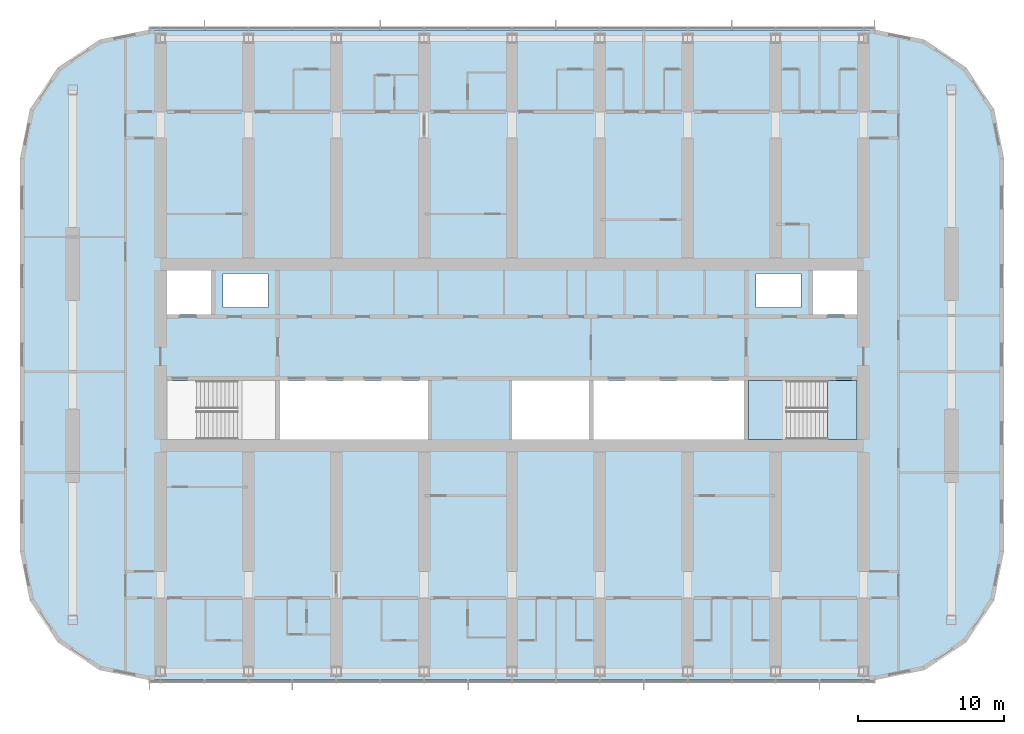
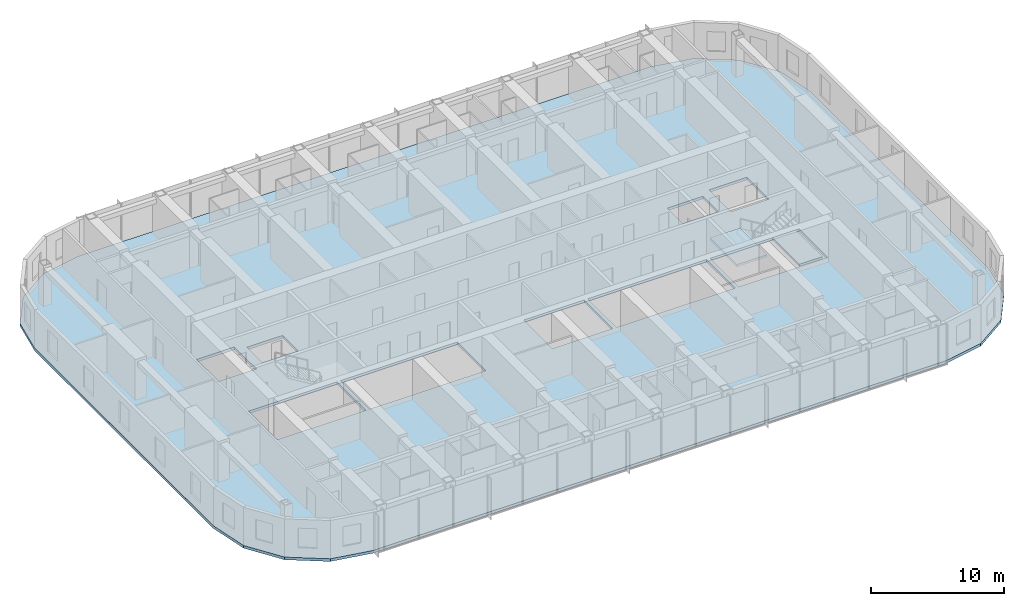
# One storey, part 8 of 23: 3 slabs, 1 element without a shape of its own.
"""IFC4 building model written with IfcOpenShell, lengths in metres."""

from ifc_helpers import new_model, si_unit, direction, frame, origin, place, context, subcontext, project, spatial, polyline, outline, extrude, material, layer, layer_set, type_object, element, aggregate, save


model = new_model("IFC4")

# Units and contexts
model_context = context("Model", 3, precision=1e-05, world=origin(), true_north=direction((0.0, 1.0)))
body_context = subcontext(model_context, "Body", "Model", "MODEL_VIEW")
ifc_project = project(units=[si_unit("LENGTHUNIT", "METRE"), si_unit("AREAUNIT", "SQUARE_METRE"), si_unit("VOLUMEUNIT", "CUBIC_METRE"), si_unit("PLANEANGLEUNIT", "RADIAN"), si_unit("MASSUNIT", "GRAM", prefix="KILO")], contexts=[model_context])

# Site, building, storey
site_placement = place(None, origin())
site = spatial("IfcSite", under=ifc_project, at=site_placement, CompositionType="ELEMENT")
building_placement = place(site_placement, origin())
building = spatial("IfcBuilding", under=site, at=building_placement, Name="Orbita Commons", CompositionType="ELEMENT")
storey_placement = place(building_placement, frame((0.0, 0.0, 171.10009765625)))
storey = spatial("IfcBuildingStorey", under=building, at=storey_placement, Name="L42", CompositionType="ELEMENT", Elevation=171.10009765625)

# Slab
ifc_material_1 = material(Name="Concrete C40/50", Category="concrete")
ifc_layer_1 = layer(ifc_material_1, 0.25)
ifc_layer_set_1 = layer_set([ifc_layer_1], Name="Concrete C40/50")
slab_type_1 = type_object("IfcSlabType", Name="Floor slab 250", PredefinedType="FLOOR", material=ifc_layer_set_1)
slab_1_placement = place(storey_placement, frame((0.0, 0.0, -0.25)))
element("IfcSlab", 1, at=slab_1_placement, inside=storey, type_object=slab_type_1, Name="Floor slab L42", PredefinedType="FLOOR", context=body_context, shape_type="SweptSolid", body=[
    extrude(outline(polyline([(66.800048828125, 9.800048828125), (70.167724609375, 10.469970703125), (73.0224609375, 12.37744140625), (74.93017578125, 15.232421875), (75.60009765625, 18.60009765625), (75.60009765625, 45.39990234375), (74.93017578125, 48.767578125), (73.0224609375, 51.62255859375), (70.167724609375, 53.530029296875), (66.800048828125, 54.199951171875), (17.199951171875, 54.199951171875), (13.832275390625, 53.530029296875), (10.9775390625, 51.62255859375), (9.06982421875, 48.767578125), (8.39990234375, 45.39990234375), (8.39990234375, 18.60009765625), (9.06982421875, 15.232421875), (10.9775390625, 12.37744140625), (13.832275390625, 10.469970703125), (17.199951171875, 9.800048828125), (66.800048828125, 9.800048828125)]), holes=[polyline([(18.14990234375, 25.949951171875), (25.85009765625, 25.949951171875), (25.85009765625, 30.25), (18.14990234375, 30.25), (18.14990234375, 25.949951171875)]), polyline([(58.14990234375, 25.949951171875), (65.85009765625, 25.949951171875), (65.85009765625, 30.25), (58.14990234375, 30.25), (58.14990234375, 25.949951171875)]), polyline([(18.14990234375, 34.75), (21.449951171875, 34.75), (21.449951171875, 38.050048828125), (18.14990234375, 38.050048828125), (18.14990234375, 34.75)]), polyline([(62.550048828125, 34.75), (65.85009765625, 34.75), (65.85009765625, 38.050048828125), (62.550048828125, 38.050048828125), (62.550048828125, 34.75)]), polyline([(22.25, 35.25), (25.35009765625, 35.25), (25.35009765625, 37.550048828125), (22.25, 37.550048828125), (22.25, 35.25)]), polyline([(58.64990234375, 35.25), (61.75, 35.25), (61.75, 37.550048828125), (58.64990234375, 37.550048828125), (58.64990234375, 35.25)]), polyline([(26.14990234375, 25.949951171875), (36.25, 25.949951171875), (36.25, 30.25), (26.14990234375, 30.25), (26.14990234375, 25.949951171875)]), polyline([(42.0, 25.949951171875), (47.25, 25.949951171875), (47.25, 30.25), (42.0, 30.25), (42.0, 25.949951171875)]), polyline([(47.550048828125, 25.949951171875), (57.85009765625, 25.949951171875), (57.85009765625, 30.25), (47.550048828125, 30.25), (47.550048828125, 25.949951171875)])]), origin(), (0.0, 0.0, 1.0), 0.25),
])

# Stair, slabs
ifc_material_2 = material(Name="Precast concrete C40/50", Category="concrete")
stair_type = type_object("IfcStairType", Name="Exit stair S2 2 flights 11 risers 170", PredefinedType="HALF_TURN_STAIR", material=ifc_material_2)
stair_placement = place(storey_placement, origin())
stair = element("IfcStair", 2, at=stair_placement, inside=storey, type_object=stair_type, Name="Exit stair S2 L42", PredefinedType="HALF_TURN_STAIR")
ifc_material_3 = material(Name="Concrete C40/50", Category="concrete")
ifc_layer_2 = layer(ifc_material_3, 0.199951171875)
ifc_layer_set_2 = layer_set([ifc_layer_2], Name="Concrete C40/50")
slab_type_2 = type_object("IfcSlabType", Name="Stair landing 200", PredefinedType="LANDING", material=ifc_layer_set_2)
slab_2_placement = place(storey_placement, frame((0.0, 0.0, -0.2001953125)))
slab_2 = element("IfcSlab", 3, at=slab_2_placement, type_object=slab_type_2, Name="S2 landing 1", PredefinedType="LANDING", context=body_context, shape_type="SweptSolid", body=[
    extrude(outline(polyline([(63.550048828125, 26.22509765625), (65.574951171875, 26.22509765625), (65.574951171875, 30.25), (63.550048828125, 30.25), (63.550048828125, 26.22509765625)])), origin(), (0.0, 0.0, 1.0), 0.2001953125),
])
slab_3_placement = place(storey_placement, frame((0.0, 0.0, 1.6748046875)))
slab_3 = element("IfcSlab", 4, at=slab_3_placement, type_object=slab_type_2, Name="S2 landing 2", PredefinedType="LANDING", context=body_context, shape_type="SweptSolid", body=[
    extrude(outline(polyline([(58.135009765625, 26.2099609375), (60.75, 26.2099609375), (60.75, 30.264892578125), (58.135009765625, 30.264892578125), (58.135009765625, 26.2099609375)])), origin(), (0.0, 0.0, 1.0), 0.2001953125),
])
aggregate(stair, [slab_2, slab_3])

save(model, "model.ifc")
